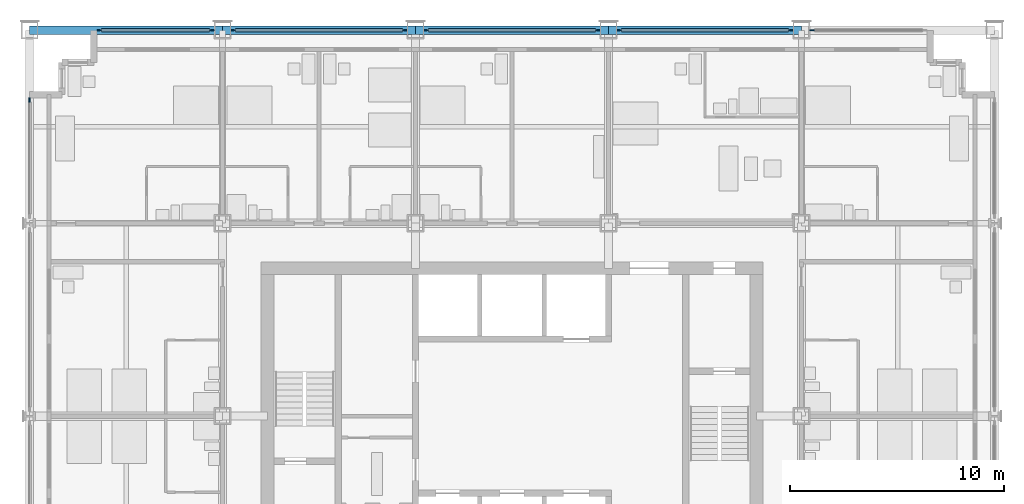
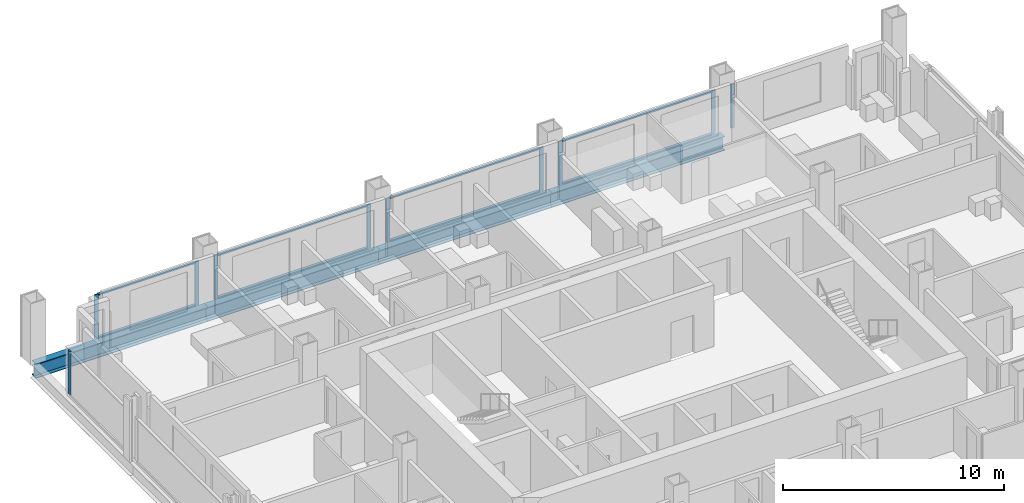
# One storey, part 6 of 16: 18 members, 4 beams, 6 elements without a shape of their own.
"""IFC4 building model written with IfcOpenShell, lengths in metres."""

from ifc_helpers import new_model, si_unit, direction, frame, origin, origin_2d, place, context, subcontext, project, spatial, rectangle, i_section, extrude, material, material_profile, profile_set, type_object, element, aggregate, save


model = new_model("IFC4")

# Units and contexts
model_context = context("Model", 3, precision=1e-05, world=origin(), true_north=direction((0.0, 1.0)))
body_context = subcontext(model_context, "Body", "Model", "MODEL_VIEW")
ifc_project = project(units=[si_unit("LENGTHUNIT", "METRE"), si_unit("AREAUNIT", "SQUARE_METRE"), si_unit("VOLUMEUNIT", "CUBIC_METRE"), si_unit("PLANEANGLEUNIT", "RADIAN"), si_unit("MASSUNIT", "GRAM", prefix="KILO")], contexts=[model_context])

# Site, building, storey
site_placement = place(None, origin())
site = spatial("IfcSite", under=ifc_project, at=site_placement, CompositionType="ELEMENT")
building_placement = place(site_placement, origin())
building = spatial("IfcBuilding", under=site, at=building_placement, Name="Loomwork Tower", CompositionType="ELEMENT")
storey_placement = place(building_placement, frame((0.0, 0.0, 128.199951171875)))
storey = spatial("IfcBuildingStorey", under=building, at=storey_placement, Name="L34", CompositionType="ELEMENT", Elevation=128.199951171875)

# Curtain wall, members
ifc_material_1 = material(Name="Aluminium curtain wall frame", Category="aluminium")
curtain_wall_type = type_object("IfcCurtainWallType", Name="Outer skin glazing hotel", PredefinedType="NOTDEFINED", material=ifc_material_1)
curtain_wall_1_placement = place(storey_placement, origin())
curtain_wall_1 = element("IfcCurtainWall", 1, at=curtain_wall_1_placement, inside=storey, type_object=curtain_wall_type, Name="Outer skin glazing hotel cw/N-0", PredefinedType="NOTDEFINED")
ifc_material_2 = material(Name="Aluminium curtain wall frame", Category="aluminium")
ifc_material_profile_1 = material_profile(ifc_material_2, rectangle(XDim=0.06494140625, YDim=0.199951171875, at=origin_2d()), Name="AL 65x200")
ifc_profile_set_1 = profile_set([ifc_material_profile_1], Name="Aluminium curtain wall frame")
member_type_1 = type_object("IfcMemberType", Name="Outer skin glazing hotel mullion", PredefinedType="MULLION", material=ifc_profile_set_1)
member_1_placement = place(storey_placement, frame((8.5, 36.0, 0.0), z_axis=(0.0, 0.0, 1.0), x_axis=(0.0, -1.0, 0.0)))
member_1 = element("IfcMember", 2, at=member_1_placement, type_object=member_type_1, Name="CW1 mullion 1", PredefinedType="MULLION", context=body_context, shape_type="SweptSolid", body=[
    extrude(rectangle(XDim=0.06494140625, YDim=0.199951171875, at=origin_2d()), origin(), (0.0, 0.0, 1.0), 2.420166015625),
])
member_2_placement = place(storey_placement, frame((3.25, 36.0, 0.0), z_axis=(0.0, 0.0, 1.0), x_axis=(0.0, -1.0, 0.0)))
member_2 = element("IfcMember", 3, at=member_2_placement, type_object=member_type_1, Name="CW1 mullion 2", PredefinedType="MULLION", context=body_context, shape_type="SweptSolid", body=[
    extrude(rectangle(XDim=0.06494140625, YDim=0.199951171875, at=origin_2d()), origin(), (0.0, 0.0, 1.0), 2.420166015625),
])

curtain_wall_2_placement = place(storey_placement, origin())
curtain_wall_2 = element("IfcCurtainWall", 4, at=curtain_wall_2_placement, inside=storey, type_object=curtain_wall_type, Name="Outer skin glazing hotel cw/N-9", PredefinedType="NOTDEFINED")
member_3_placement = place(storey_placement, frame((17.5, 36.0, 0.0), z_axis=(0.0, 0.0, 1.0), x_axis=(0.0, -1.0, 0.0)))
member_3 = element("IfcMember", 5, at=member_3_placement, type_object=member_type_1, Name="CW1 mullion 1", PredefinedType="MULLION", context=body_context, shape_type="SweptSolid", body=[
    extrude(rectangle(XDim=0.06494140625, YDim=0.199951171875, at=origin_2d()), origin(), (0.0, 0.0, 1.0), 2.420166015625),
])
member_4_placement = place(storey_placement, frame((9.5, 36.0, 0.0), z_axis=(0.0, 0.0, 1.0), x_axis=(0.0, -1.0, 0.0)))
member_4 = element("IfcMember", 6, at=member_4_placement, type_object=member_type_1, Name="CW1 mullion 2", PredefinedType="MULLION", context=body_context, shape_type="SweptSolid", body=[
    extrude(rectangle(XDim=0.06494140625, YDim=0.199951171875, at=origin_2d()), origin(), (0.0, 0.0, 1.0), 2.420166015625),
])

curtain_wall_3_placement = place(storey_placement, origin())
curtain_wall_3 = element("IfcCurtainWall", 7, at=curtain_wall_3_placement, inside=storey, type_object=curtain_wall_type, Name="Outer skin glazing hotel cw/N-18", PredefinedType="NOTDEFINED")
member_5_placement = place(storey_placement, frame((26.5, 36.0, 0.0), z_axis=(0.0, 0.0, 1.0), x_axis=(0.0, -1.0, 0.0)))
member_5 = element("IfcMember", 8, at=member_5_placement, type_object=member_type_1, Name="CW1 mullion 1", PredefinedType="MULLION", context=body_context, shape_type="SweptSolid", body=[
    extrude(rectangle(XDim=0.06494140625, YDim=0.199951171875, at=origin_2d()), origin(), (0.0, 0.0, 1.0), 2.420166015625),
])
member_6_placement = place(storey_placement, frame((18.5, 36.0, 0.0), z_axis=(0.0, 0.0, 1.0), x_axis=(0.0, -1.0, 0.0)))
member_6 = element("IfcMember", 9, at=member_6_placement, type_object=member_type_1, Name="CW1 mullion 2", PredefinedType="MULLION", context=body_context, shape_type="SweptSolid", body=[
    extrude(rectangle(XDim=0.06494140625, YDim=0.199951171875, at=origin_2d()), origin(), (0.0, 0.0, 1.0), 2.420166015625),
])

curtain_wall_4_placement = place(storey_placement, origin())
curtain_wall_4 = element("IfcCurtainWall", 10, at=curtain_wall_4_placement, inside=storey, type_object=curtain_wall_type, Name="Outer skin glazing hotel cw/N-27", PredefinedType="NOTDEFINED")
member_7_placement = place(storey_placement, frame((35.5, 36.0, 0.0), z_axis=(0.0, 0.0, 1.0), x_axis=(0.0, -1.0, 0.0)))
member_7 = element("IfcMember", 11, at=member_7_placement, type_object=member_type_1, Name="CW1 mullion 1", PredefinedType="MULLION", context=body_context, shape_type="SweptSolid", body=[
    extrude(rectangle(XDim=0.06494140625, YDim=0.199951171875, at=origin_2d()), origin(), (0.0, 0.0, 1.0), 2.420166015625),
])
member_8_placement = place(storey_placement, frame((27.5, 36.0, 0.0), z_axis=(0.0, 0.0, 1.0), x_axis=(0.0, -1.0, 0.0)))
member_8 = element("IfcMember", 12, at=member_8_placement, type_object=member_type_1, Name="CW1 mullion 2", PredefinedType="MULLION", context=body_context, shape_type="SweptSolid", body=[
    extrude(rectangle(XDim=0.06494140625, YDim=0.199951171875, at=origin_2d()), origin(), (0.0, 0.0, 1.0), 2.420166015625),
])

# Curtain wall, member
curtain_wall_5_placement = place(storey_placement, origin())
curtain_wall_5 = element("IfcCurtainWall", 13, at=curtain_wall_5_placement, inside=storey, type_object=curtain_wall_type, Name="Outer skin glazing hotel cw/N-36", PredefinedType="NOTDEFINED")
member_9_placement = place(storey_placement, frame((36.5, 36.0, 0.0), z_axis=(0.0, 0.0, 1.0), x_axis=(0.0, -1.0, 0.0)))
member_9 = element("IfcMember", 14, at=member_9_placement, type_object=member_type_1, Name="CW1 mullion 2", PredefinedType="MULLION", context=body_context, shape_type="SweptSolid", body=[
    extrude(rectangle(XDim=0.06494140625, YDim=0.199951171875, at=origin_2d()), origin(), (0.0, 0.0, 1.0), 2.420166015625),
])
aggregate(curtain_wall_5, [member_9])

curtain_wall_6_placement = place(storey_placement, origin())
curtain_wall_6 = element("IfcCurtainWall", 15, at=curtain_wall_6_placement, inside=storey, type_object=curtain_wall_type, Name="Outer skin glazing hotel cw/W-27", PredefinedType="NOTDEFINED")
member_10_placement = place(storey_placement, frame((0.0, 32.75, 0.0), z_axis=(0.0, 0.0, 1.0), x_axis=(1.0, 0.0, 0.0)))
member_10 = element("IfcMember", 16, at=member_10_placement, type_object=member_type_1, Name="CW1 mullion 1", PredefinedType="MULLION", context=body_context, shape_type="SweptSolid", body=[
    extrude(rectangle(XDim=0.06494140625, YDim=0.199951171875, at=origin_2d()), origin(), (0.0, 0.0, 1.0), 2.420166015625),
])
aggregate(curtain_wall_6, [member_10])

# Member
ifc_material_3 = material(Name="Aluminium curtain wall frame", Category="aluminium")
ifc_material_profile_2 = material_profile(ifc_material_3, rectangle(XDim=0.14990234375, YDim=0.06494140625, at=origin_2d()), Name="AL 65x150")
ifc_profile_set_2 = profile_set([ifc_material_profile_2], Name="Aluminium curtain wall frame")
member_type_2 = type_object("IfcMemberType", Name="Outer skin glazing hotel transom", PredefinedType="USERDEFINED", material=ifc_profile_set_2)
member_11_placement = place(storey_placement, frame((8.39990234375, 36.0, 0.032470703125), z_axis=(-1.0, 0.0, 0.0), x_axis=(0.0, -1.0, 0.0)))
member_11 = element("IfcMember", 17, at=member_11_placement, type_object=member_type_2, Name="CW1 transom 1.1", ObjectType="TRANSOM", PredefinedType="USERDEFINED", context=body_context, shape_type="SweptSolid", body=[
    extrude(rectangle(XDim=0.14990234375, YDim=0.06494140625, at=origin_2d()), origin(), (0.0, 0.0, 1.0), 5.0498046875),
])

member_12_placement = place(storey_placement, frame((8.39990234375, 36.0, 2.3876953125), z_axis=(-1.0, 0.0, 0.0), x_axis=(0.0, -1.0, 0.0)))
member_12 = element("IfcMember", 18, at=member_12_placement, type_object=member_type_2, Name="CW1 transom 1.2", ObjectType="TRANSOM", PredefinedType="USERDEFINED", context=body_context, shape_type="SweptSolid", body=[
    extrude(rectangle(XDim=0.14990234375, YDim=0.06494140625, at=origin_2d()), origin(), (0.0, 0.0, 1.0), 5.0498046875),
])

aggregate(curtain_wall_1, [member_1, member_2, member_11, member_12])

member_13_placement = place(storey_placement, frame((17.39990234375, 36.0, 0.032470703125), z_axis=(-1.0, 0.0, 0.0), x_axis=(0.0, -1.0, 0.0)))
member_13 = element("IfcMember", 19, at=member_13_placement, type_object=member_type_2, Name="CW1 transom 1.1", ObjectType="TRANSOM", PredefinedType="USERDEFINED", context=body_context, shape_type="SweptSolid", body=[
    extrude(rectangle(XDim=0.14990234375, YDim=0.06494140625, at=origin_2d()), origin(), (0.0, 0.0, 1.0), 7.7998046875),
])

member_14_placement = place(storey_placement, frame((17.39990234375, 36.0, 2.3876953125), z_axis=(-1.0, 0.0, 0.0), x_axis=(0.0, -1.0, 0.0)))
member_14 = element("IfcMember", 20, at=member_14_placement, type_object=member_type_2, Name="CW1 transom 1.2", ObjectType="TRANSOM", PredefinedType="USERDEFINED", context=body_context, shape_type="SweptSolid", body=[
    extrude(rectangle(XDim=0.14990234375, YDim=0.06494140625, at=origin_2d()), origin(), (0.0, 0.0, 1.0), 7.7998046875),
])

aggregate(curtain_wall_2, [member_3, member_4, member_13, member_14])

member_15_placement = place(storey_placement, frame((26.39990234375, 36.0, 0.032470703125), z_axis=(-1.0, 0.0, 0.0), x_axis=(0.0, -1.0, 0.0)))
member_15 = element("IfcMember", 21, at=member_15_placement, type_object=member_type_2, Name="CW1 transom 1.1", ObjectType="TRANSOM", PredefinedType="USERDEFINED", context=body_context, shape_type="SweptSolid", body=[
    extrude(rectangle(XDim=0.14990234375, YDim=0.06494140625, at=origin_2d()), origin(), (0.0, 0.0, 1.0), 7.7998046875),
])

member_16_placement = place(storey_placement, frame((26.39990234375, 36.0, 2.3876953125), z_axis=(-1.0, 0.0, 0.0), x_axis=(0.0, -1.0, 0.0)))
member_16 = element("IfcMember", 22, at=member_16_placement, type_object=member_type_2, Name="CW1 transom 1.2", ObjectType="TRANSOM", PredefinedType="USERDEFINED", context=body_context, shape_type="SweptSolid", body=[
    extrude(rectangle(XDim=0.14990234375, YDim=0.06494140625, at=origin_2d()), origin(), (0.0, 0.0, 1.0), 7.7998046875),
])

aggregate(curtain_wall_3, [member_5, member_6, member_15, member_16])

member_17_placement = place(storey_placement, frame((35.39990234375, 36.0, 0.032470703125), z_axis=(-1.0, 0.0, 0.0), x_axis=(0.0, -1.0, 0.0)))
member_17 = element("IfcMember", 23, at=member_17_placement, type_object=member_type_2, Name="CW1 transom 1.1", ObjectType="TRANSOM", PredefinedType="USERDEFINED", context=body_context, shape_type="SweptSolid", body=[
    extrude(rectangle(XDim=0.14990234375, YDim=0.06494140625, at=origin_2d()), origin(), (0.0, 0.0, 1.0), 7.7998046875),
])

member_18_placement = place(storey_placement, frame((35.39990234375, 36.0, 2.3876953125), z_axis=(-1.0, 0.0, 0.0), x_axis=(0.0, -1.0, 0.0)))
member_18 = element("IfcMember", 24, at=member_18_placement, type_object=member_type_2, Name="CW1 transom 1.2", ObjectType="TRANSOM", PredefinedType="USERDEFINED", context=body_context, shape_type="SweptSolid", body=[
    extrude(rectangle(XDim=0.14990234375, YDim=0.06494140625, at=origin_2d()), origin(), (0.0, 0.0, 1.0), 7.7998046875),
])

aggregate(curtain_wall_4, [member_7, member_8, member_17, member_18])

# Beams
ifc_material_4 = material(Name="Steel ASTM A992", Category="steel")
ifc_material_profile_3 = material_profile(ifc_material_4, i_section(OverallWidth=0.381103515625, OverallDepth=0.77978515625, WebThickness=0.01806640625, FlangeThickness=0.0302734375, at=origin_2d()), Name="W30x191")
ifc_profile_set_3 = profile_set([ifc_material_profile_3], Name="Steel ASTM A992")
beam_type = type_object("IfcBeamType", Name="SPANDREL GIRDER W30x191", PredefinedType="SPANDREL", material=ifc_profile_set_3)
for number, where, z_axis, x_axis, name in (
    (25, (0.0, 36.0, -0.58984375), (1.0, 0.0, 0.0), (0.0, 1.0, 0.0), "Spandrel Girder H/2-H/3 L34"),
    (26, (9.0, 36.0, -0.58984375), (1.0, 0.0, 0.0), (0.0, 1.0, 0.0), "Spandrel Girder H/3-H/4 L34"),
    (27, (18.0, 36.0, -0.58984375), (1.0, 0.0, 0.0), (0.0, 1.0, 0.0), "Spandrel Girder H/4-H/5 L34"),
    (28, (27.0, 36.0, -0.58984375), (1.0, 0.0, 0.0), (0.0, 1.0, 0.0), "Spandrel Girder H/5-H/6 L34"),
):
    element("IfcBeam", number, at=place(storey_placement, frame(where, z_axis=z_axis, x_axis=x_axis)), inside=storey, type_object=beam_type, Name=name, PredefinedType="SPANDREL", context=body_context, shape_type="SweptSolid", body=[
        extrude(i_section(OverallWidth=0.381103515625, OverallDepth=0.77978515625, WebThickness=0.01806640625, FlangeThickness=0.0302734375, at=origin_2d()), origin(), (0.0, 0.0, 1.0), 9.0),
    ])

save(model, "model.ifc")
